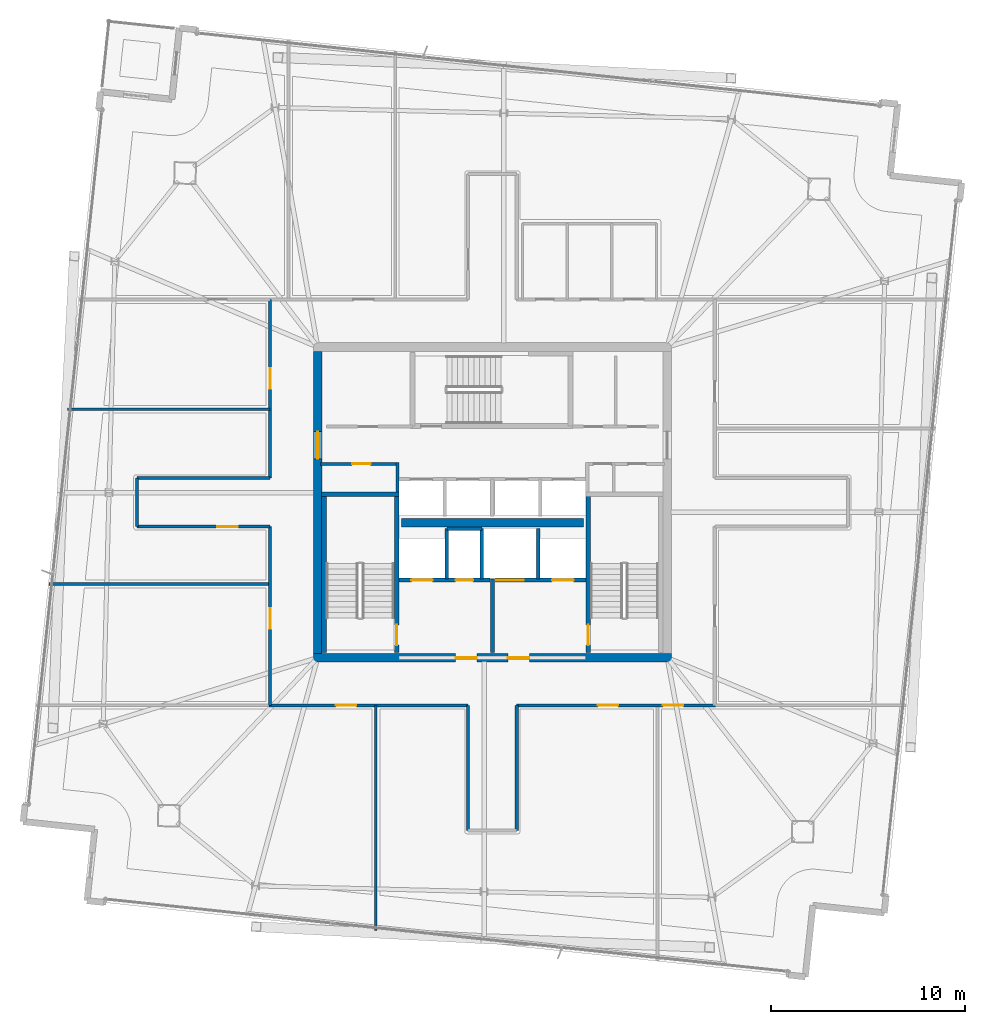
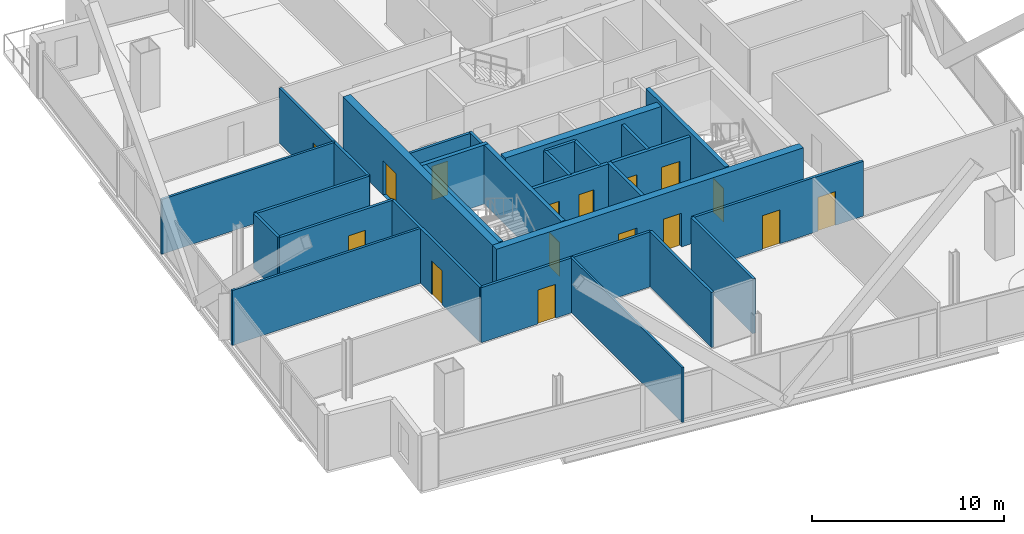
# One storey, part 19 of 24: 28 walls, 16 doors, 16 openings.
"""IFC4 building model written with IfcOpenShell, lengths in metres."""

from ifc_helpers import new_model, si_unit, direction, frame, frame_2d, origin, place, context, subcontext, project, spatial, rectangle, extrude, material, layer, layer_set, type_object, element, fill, save


model = new_model("IFC4")

# Units and contexts
model_context = context("Model", 3, precision=1e-05, world=origin(), true_north=direction((0.0, 1.0)))
body_context = subcontext(model_context, "Body", "Model", "MODEL_VIEW")
ifc_project = project(units=[si_unit("LENGTHUNIT", "METRE"), si_unit("AREAUNIT", "SQUARE_METRE"), si_unit("VOLUMEUNIT", "CUBIC_METRE"), si_unit("PLANEANGLEUNIT", "RADIAN"), si_unit("MASSUNIT", "GRAM", prefix="KILO")], contexts=[model_context])

# Site, building, storey
site_placement = place(None, origin())
site = spatial("IfcSite", under=ifc_project, at=site_placement, CompositionType="ELEMENT")
building_placement = place(site_placement, origin())
building = spatial("IfcBuilding", under=site, at=building_placement, Name="Haldenkirk Collegiate Tower", CompositionType="ELEMENT")
storey_placement = place(building_placement, frame((0.0, 0.0, 310.199951171875)))
storey = spatial("IfcBuildingStorey", under=building, at=storey_placement, Name="L78", CompositionType="ELEMENT", Elevation=310.199951171875)

# Wall, openings, doors
ifc_material_1 = material(Name="Concrete f'c 55 MPa", Category="concrete")
ifc_layer_1 = layer(ifc_material_1, 0.449951171875)
ifc_layer_set_1 = layer_set([ifc_layer_1], Name="Concrete f'c 55 MPa")
wall_type_1 = type_object("IfcWallType", Name="WL-CORE-450", PredefinedType="SHEAR", material=ifc_layer_set_1)
wall_1_placement = place(storey_placement, frame((26.77490234375, 18.0, 0.0), z_axis=(0.0, 0.0, 1.0), x_axis=(1.0, 0.0, 0.0)))
wall_1 = element("IfcWall", 1, at=wall_1_placement, inside=storey, type_object=wall_type_1, Name="L78 central core shear wall S", PredefinedType="SHEAR", context=body_context, shape_type="SweptSolid", body=[
    extrude(rectangle(XDim=18.4501953125, YDim=0.449951171875, at=frame_2d((9.22509765625, 0.0))), origin(), (0.0, 0.0, 1.0), 3.75),
])
opening_1_placement = place(wall_1_placement, frame((7.324951171875, 0.0, 0.0)))
opening_1 = element("IfcOpeningElement", 2, at=opening_1_placement, cuts=wall_1, Name="Opening D-02", PredefinedType="OPENING", context=body_context, shape_type="SweptSolid", body=[
    extrude(rectangle(XDim=1.10009765625, YDim=2.14990234375, at=frame_2d((0.550048828125, 1.074951171875))), frame((0.0, 0.23486328125, 0.0), z_axis=(0.0, -1.0, 0.0), x_axis=(1.0, 0.0, 0.0)), (0.0, 0.0, 1.0), 0.469970703125),
])
opening_2_placement = place(wall_1_placement, frame((10.02490234375, 0.0, 0.0)))
opening_2 = element("IfcOpeningElement", 3, at=opening_2_placement, cuts=wall_1, Name="Opening D-02", PredefinedType="OPENING", context=body_context, shape_type="SweptSolid", body=[
    extrude(rectangle(XDim=1.10009765625, YDim=2.14990234375, at=frame_2d((0.550048828125, 1.074951171875))), frame((0.0, 0.23486328125, 0.0), z_axis=(0.0, -1.0, 0.0), x_axis=(1.0, 0.0, 0.0)), (0.0, 0.0, 1.0), 0.469970703125),
])
ifc_material_2 = material(Name="Galvanized fire-rated hollow steel door", Category="steel")
ifc_layer_2 = layer(ifc_material_2, 0.06005859375)
ifc_layer_set_2 = layer_set([ifc_layer_2], Name="Galvanized fire-rated hollow steel door")
door_type_1 = type_object("IfcDoorType", Name="DR-STAIR-FD90-1100", OperationType="NOTDEFINED", PredefinedType="DOOR", material=ifc_layer_set_2)
door_1_placement = place(opening_1_placement, origin())
door_1 = element("IfcDoor", 4, at=door_1_placement, inside=storey, type_object=door_type_1, Name="L78 Firefighting Lobby 1 door", OperationType="SINGLE_SWING_LEFT", OverallHeight=2.14990234375, OverallWidth=1.10009765625, PredefinedType="DOOR", context=body_context, shape_type="SweptSolid", body=[
    extrude(rectangle(XDim=1.10009765625, YDim=2.14990234375, at=frame_2d((0.550048828125, 1.074951171875))), frame((0.0, 0.02490234375, 0.0), z_axis=(0.0, -1.0, 0.0), x_axis=(1.0, 0.0, 0.0)), (0.0, 0.0, 1.0), 0.050048828125),
])
fill(opening_1, door_1)
door_2_placement = place(opening_2_placement, origin())
door_2 = element("IfcDoor", 5, at=door_2_placement, inside=storey, type_object=door_type_1, Name="L78 Firefighting Lobby 2 door", OperationType="SINGLE_SWING_RIGHT", OverallHeight=2.14990234375, OverallWidth=1.10009765625, PredefinedType="DOOR", context=body_context, shape_type="SweptSolid", body=[
    extrude(rectangle(XDim=1.10009765625, YDim=2.14990234375, at=frame_2d((0.550048828125, 1.074951171875))), frame((0.0, 0.02490234375, 0.0), z_axis=(0.0, -1.0, 0.0), x_axis=(1.0, 0.0, 0.0)), (0.0, 0.0, 1.0), 0.050048828125),
])
fill(opening_2, door_2)

# Wall, opening, door
wall_2_placement = place(storey_placement, frame((27.0, 18.22509765625, 0.0), z_axis=(0.0, 0.0, 1.0), x_axis=(0.0, 1.0, 0.0)))
wall_2 = element("IfcWall", 6, at=wall_2_placement, inside=storey, type_object=wall_type_1, Name="L78 central core shear wall W", PredefinedType="SHEAR", context=body_context, shape_type="SweptSolid", body=[
    extrude(rectangle(XDim=15.5498046875, YDim=0.449951171875, at=frame_2d((7.77490234375, 0.0))), origin(), (0.0, 0.0, 1.0), 3.75),
])
opening_3_placement = place(wall_2_placement, frame((10.014892578125, 0.0, 0.0)))
opening_3 = element("IfcOpeningElement", 7, at=opening_3_placement, cuts=wall_2, Name="Opening D-03", PredefinedType="OPENING", context=body_context, shape_type="SweptSolid", body=[
    extrude(rectangle(XDim=1.39990234375, YDim=2.199951171875, at=frame_2d((0.699951171875, 1.10009765625))), frame((0.0, 0.23486328125, 0.0), z_axis=(0.0, -1.0, 0.0), x_axis=(1.0, 0.0, 0.0)), (0.0, 0.0, 1.0), 0.469970703125),
])
ifc_layer_3 = layer(ifc_material_2, 0.06005859375)
ifc_layer_set_3 = layer_set([ifc_layer_3], Name="Galvanized fire-rated hollow steel door")
door_type_2 = type_object("IfcDoorType", Name="DR-LOBBY-FD90-1400", OperationType="NOTDEFINED", PredefinedType="DOOR", material=ifc_layer_set_3)
door_3_placement = place(opening_3_placement, origin())
door_3 = element("IfcDoor", 8, at=door_3_placement, inside=storey, type_object=door_type_2, Name="L78 west lift lobby portal", OperationType="DOUBLE_DOOR_SINGLE_SWING", OverallHeight=2.199951171875, OverallWidth=1.39990234375, PredefinedType="DOOR", context=body_context, shape_type="SweptSolid", body=[
    extrude(rectangle(XDim=1.39990234375, YDim=2.199951171875, at=frame_2d((0.699951171875, 1.10009765625))), frame((0.0, 0.02490234375, 0.0), z_axis=(0.0, -1.0, 0.0), x_axis=(1.0, 0.0, 0.0)), (0.0, 0.0, 1.0), 0.050048828125),
])
fill(opening_3, door_3)

# Wall
wall_3_placement = place(storey_placement, frame((31.31005859375, 24.949951171875, 0.0), z_axis=(0.0, 0.0, 1.0), x_axis=(1.0, 0.0, 0.0)))
element("IfcWall", 9, at=wall_3_placement, inside=storey, type_object=wall_type_1, Name="L78 central core spine shear wall", PredefinedType="SHEAR", context=body_context, shape_type="SweptSolid", body=[
    extrude(rectangle(XDim=9.3798828125, YDim=0.449951171875, at=frame_2d((4.68994140625, 0.0))), origin(), (0.0, 0.0, 1.0), 3.75),
])

# Wall, opening, door
ifc_material_3 = material(Name="Acoustic fire-rated gypsum partition", Category="concrete")
ifc_layer_4 = layer(ifc_material_3, 0.159912109375)
ifc_layer_set_4 = layer_set([ifc_layer_4], Name="Acoustic fire-rated gypsum partition")
wall_type_2 = type_object("IfcWallType", Name="WL-INT-CORR-160", PredefinedType="PARTITIONING", material=ifc_layer_set_4)
wall_4_placement = place(storey_placement, frame((27.14990234375, 27.97998046875, 0.0), z_axis=(0.0, 0.0, 1.0), x_axis=(1.0, 0.0, 0.0)))
wall_4 = element("IfcWall", 10, at=wall_4_placement, inside=storey, type_object=wall_type_2, Name="L78 interior partition IW-L78-VCSW-N", PredefinedType="PARTITIONING", context=body_context, shape_type="SweptSolid", body=[
    extrude(rectangle(XDim=4.050048828125, YDim=0.159912109375, at=frame_2d((2.02490234375, 0.0))), origin(), (0.0, 0.0, 1.0), 3.489990234375),
])
opening_4_placement = place(wall_4_placement, frame((1.625, 0.0, 0.0)))
opening_4 = element("IfcOpeningElement", 11, at=opening_4_placement, cuts=wall_4, Name="Opening D-10", PredefinedType="OPENING", context=body_context, shape_type="SweptSolid", body=[
    extrude(rectangle(XDim=0.949951171875, YDim=2.14990234375, at=frame_2d((0.47509765625, 1.074951171875))), frame((0.0, 0.08984375, 0.0), z_axis=(0.0, -1.0, 0.0), x_axis=(1.0, 0.0, 0.0)), (0.0, 0.0, 1.0), 0.179931640625),
])
ifc_material_4 = material(Name="Solid-core architectural oak fire door", Category="wood")
ifc_layer_5 = layer(ifc_material_4, 0.06005859375)
ifc_layer_set_5 = layer_set([ifc_layer_5], Name="Solid-core architectural oak fire door")
door_type_3 = type_object("IfcDoorType", Name="DR-INT-FD60-950", OperationType="NOTDEFINED", PredefinedType="DOOR", material=ifc_layer_set_5)
door_4_placement = place(opening_4_placement, origin())
door_4 = element("IfcDoor", 12, at=door_4_placement, inside=storey, type_object=door_type_3, Name="L78 core tea pantry door", OperationType="SINGLE_SWING_RIGHT", OverallHeight=2.14990234375, OverallWidth=0.949951171875, PredefinedType="DOOR", context=body_context, shape_type="SweptSolid", body=[
    extrude(rectangle(XDim=0.949951171875, YDim=2.14990234375, at=frame_2d((0.47509765625, 1.074951171875))), frame((0.0, 0.02490234375, 0.0), z_axis=(0.0, -1.0, 0.0), x_axis=(1.0, 0.0, 0.0)), (0.0, 0.0, 1.0), 0.050048828125),
])
fill(opening_4, door_4)

# Wall
wall_5_placement = place(storey_placement, frame((31.1201171875, 26.5400390625, 0.0), z_axis=(0.0, 0.0, 1.0), x_axis=(0.0, 1.0, 0.0)))
element("IfcWall", 13, at=wall_5_placement, inside=storey, type_object=wall_type_2, Name="L78 interior partition IW-L78-VCSW-E", PredefinedType="PARTITIONING", context=body_context, shape_type="SweptSolid", body=[
    extrude(rectangle(XDim=1.510009765625, YDim=0.159912109375, at=frame_2d((0.7548828125, 0.0))), origin(), (0.0, 0.0, 1.0), 3.489990234375),
])

# Wall, opening, door
wall_6_placement = place(storey_placement, frame((24.5, 15.550048828125, 0.0), z_axis=(0.0, 0.0, 1.0), x_axis=(1.0, 0.0, 0.0)))
wall_6 = element("IfcWall", 14, at=wall_6_placement, inside=storey, type_object=wall_type_2, Name="L78 interior partition IW-L78-CS1", PredefinedType="PARTITIONING", context=body_context, shape_type="SweptSolid", body=[
    extrude(rectangle(XDim=10.25, YDim=0.159912109375, at=frame_2d((5.125, 0.0))), origin(), (0.0, 0.0, 1.0), 3.489990234375),
])
opening_5_placement = place(wall_6_placement, frame((3.44091796875, 0.0, 0.0)))
opening_5 = element("IfcOpeningElement", 15, at=opening_5_placement, cuts=wall_6, Name="Opening D-09", PredefinedType="OPENING", context=body_context, shape_type="SweptSolid", body=[
    extrude(rectangle(XDim=1.050048828125, YDim=2.14990234375, at=frame_2d((0.52490234375, 1.074951171875))), frame((0.0, 0.08984375, 0.0), z_axis=(0.0, -1.0, 0.0), x_axis=(1.0, 0.0, 0.0)), (0.0, 0.0, 1.0), 0.179931640625),
])
ifc_layer_6 = layer(ifc_material_4, 0.06005859375)
ifc_layer_set_6 = layer_set([ifc_layer_6], Name="Solid-core architectural oak fire door")
door_type_4 = type_object("IfcDoorType", Name="DR-INT-FD60-1050", OperationType="NOTDEFINED", PredefinedType="DOOR", material=ifc_layer_set_6)
door_5_placement = place(opening_5_placement, origin())
door_5 = element("IfcDoor", 16, at=door_5_placement, inside=storey, type_object=door_type_4, Name="L78 Faculty Office 1 door", OperationType="SINGLE_SWING_LEFT", OverallHeight=2.14990234375, OverallWidth=1.050048828125, PredefinedType="DOOR", context=body_context, shape_type="SweptSolid", body=[
    extrude(rectangle(XDim=1.050048828125, YDim=2.14990234375, at=frame_2d((0.52490234375, 1.074951171875))), frame((0.0, 0.02490234375, 0.0), z_axis=(0.0, -1.0, 0.0), x_axis=(1.0, 0.0, 0.0)), (0.0, 0.0, 1.0), 0.050048828125),
])
fill(opening_5, door_5)

# Wall, openings, doors
wall_7_placement = place(storey_placement, frame((37.25, 15.550048828125, 0.0), z_axis=(0.0, 0.0, 1.0), x_axis=(1.0, 0.0, 0.0)))
wall_7 = element("IfcWall", 17, at=wall_7_placement, inside=storey, type_object=wall_type_2, Name="L78 interior partition IW-L78-CS2", PredefinedType="PARTITIONING", context=body_context, shape_type="SweptSolid", body=[
    extrude(rectangle(XDim=10.25, YDim=0.159912109375, at=frame_2d((5.125, 0.0))), origin(), (0.0, 0.0, 1.0), 3.489990234375),
])
opening_6_placement = place(wall_7_placement, frame((4.176025390625, 0.0, 0.0)))
opening_6 = element("IfcOpeningElement", 18, at=opening_6_placement, cuts=wall_7, Name="Opening D-09", PredefinedType="OPENING", context=body_context, shape_type="SweptSolid", body=[
    extrude(rectangle(XDim=1.050048828125, YDim=2.14990234375, at=frame_2d((0.52490234375, 1.074951171875))), frame((0.0, 0.08984375, 0.0), z_axis=(0.0, -1.0, 0.0), x_axis=(1.0, 0.0, 0.0)), (0.0, 0.0, 1.0), 0.179931640625),
])
opening_7_placement = place(wall_7_placement, frame((7.530029296875, 0.0, 0.0)))
opening_7 = element("IfcOpeningElement", 19, at=opening_7_placement, cuts=wall_7, Name="Opening D-09", PredefinedType="OPENING", context=body_context, shape_type="SweptSolid", body=[
    extrude(rectangle(XDim=1.050048828125, YDim=2.14990234375, at=frame_2d((0.52490234375, 1.074951171875))), frame((0.0, 0.08984375, 0.0), z_axis=(0.0, -1.0, 0.0), x_axis=(1.0, 0.0, 0.0)), (0.0, 0.0, 1.0), 0.179931640625),
])
door_6_placement = place(opening_6_placement, origin())
door_6 = element("IfcDoor", 20, at=door_6_placement, inside=storey, type_object=door_type_4, Name="L78 Research Office 2 door", OperationType="SINGLE_SWING_RIGHT", OverallHeight=2.14990234375, OverallWidth=1.050048828125, PredefinedType="DOOR", context=body_context, shape_type="SweptSolid", body=[
    extrude(rectangle(XDim=1.050048828125, YDim=2.14990234375, at=frame_2d((0.52490234375, 1.074951171875))), frame((0.0, 0.02490234375, 0.0), z_axis=(0.0, -1.0, 0.0), x_axis=(1.0, 0.0, 0.0)), (0.0, 0.0, 1.0), 0.050048828125),
])
fill(opening_6, door_6)
door_7_placement = place(opening_7_placement, origin())
door_7 = element("IfcDoor", 21, at=door_7_placement, inside=storey, type_object=door_type_4, Name="L78 Senior Fellow Office 3 door", OperationType="SINGLE_SWING_LEFT", OverallHeight=2.14990234375, OverallWidth=1.050048828125, PredefinedType="DOOR", context=body_context, shape_type="SweptSolid", body=[
    extrude(rectangle(XDim=1.050048828125, YDim=2.14990234375, at=frame_2d((0.52490234375, 1.074951171875))), frame((0.0, 0.02490234375, 0.0), z_axis=(0.0, -1.0, 0.0), x_axis=(1.0, 0.0, 0.0)), (0.0, 0.0, 1.0), 0.050048828125),
])
fill(opening_7, door_7)

# Wall, opening, door
wall_8_placement = place(storey_placement, frame((24.550048828125, 15.550048828125, 0.0), z_axis=(0.0, 0.0, 1.0), x_axis=(0.0, 1.0, 0.0)))
wall_8 = element("IfcWall", 22, at=wall_8_placement, inside=storey, type_object=wall_type_2, Name="L78 interior partition IW-L78-CW1", PredefinedType="PARTITIONING", context=body_context, shape_type="SweptSolid", body=[
    extrude(rectangle(XDim=9.199951171875, YDim=0.159912109375, at=frame_2d((4.60009765625, 0.0))), origin(), (0.0, 0.0, 1.0), 3.489990234375),
])
opening_8_placement = place(wall_8_placement, frame((3.950927734375, 0.0, 0.0)))
opening_8 = element("IfcOpeningElement", 23, at=opening_8_placement, cuts=wall_8, Name="Opening D-09", PredefinedType="OPENING", context=body_context, shape_type="SweptSolid", body=[
    extrude(rectangle(XDim=1.050048828125, YDim=2.14990234375, at=frame_2d((0.52490234375, 1.074951171875))), frame((0.0, 0.08984375, 0.0), z_axis=(0.0, -1.0, 0.0), x_axis=(1.0, 0.0, 0.0)), (0.0, 0.0, 1.0), 0.179931640625),
])
door_8_placement = place(opening_8_placement, origin())
door_8 = element("IfcDoor", 24, at=door_8_placement, inside=storey, type_object=door_type_4, Name="L78 Faculty Office 7 door", OperationType="SINGLE_SWING_LEFT", OverallHeight=2.14990234375, OverallWidth=1.050048828125, PredefinedType="DOOR", context=body_context, shape_type="SweptSolid", body=[
    extrude(rectangle(XDim=1.050048828125, YDim=2.14990234375, at=frame_2d((0.52490234375, 1.074951171875))), frame((0.0, 0.02490234375, 0.0), z_axis=(0.0, -1.0, 0.0), x_axis=(1.0, 0.0, 0.0)), (0.0, 0.0, 1.0), 0.050048828125),
])
fill(opening_8, door_8)

wall_9_placement = place(storey_placement, frame((24.550048828125, 27.25, 0.0), z_axis=(0.0, 0.0, 1.0), x_axis=(0.0, 1.0, 0.0)))
wall_9 = element("IfcWall", 25, at=wall_9_placement, inside=storey, type_object=wall_type_2, Name="L78 interior partition IW-L78-CW2", PredefinedType="PARTITIONING", context=body_context, shape_type="SweptSolid", body=[
    extrude(rectangle(XDim=9.199951171875, YDim=0.159912109375, at=frame_2d((4.60009765625, 0.0))), origin(), (0.0, 0.0, 1.0), 3.489990234375),
])
opening_9_placement = place(wall_9_placement, frame((4.60693359375, 0.0, 0.0)))
opening_9 = element("IfcOpeningElement", 26, at=opening_9_placement, cuts=wall_9, Name="Opening D-09", PredefinedType="OPENING", context=body_context, shape_type="SweptSolid", body=[
    extrude(rectangle(XDim=1.050048828125, YDim=2.14990234375, at=frame_2d((0.52490234375, 1.074951171875))), frame((0.0, 0.08984375, 0.0), z_axis=(0.0, -1.0, 0.0), x_axis=(1.0, 0.0, 0.0)), (0.0, 0.0, 1.0), 0.179931640625),
])
door_9_placement = place(opening_9_placement, origin())
door_9 = element("IfcDoor", 27, at=door_9_placement, inside=storey, type_object=door_type_4, Name="L78 Senior Fellow Office 9 door", OperationType="SINGLE_SWING_LEFT", OverallHeight=2.14990234375, OverallWidth=1.050048828125, PredefinedType="DOOR", context=body_context, shape_type="SweptSolid", body=[
    extrude(rectangle(XDim=1.050048828125, YDim=2.14990234375, at=frame_2d((0.52490234375, 1.074951171875))), frame((0.0, 0.02490234375, 0.0), z_axis=(0.0, -1.0, 0.0), x_axis=(1.0, 0.0, 0.0)), (0.0, 0.0, 1.0), 0.050048828125),
])
fill(opening_9, door_9)

# Walls
for number, where, z_axis, x_axis, name in (
    (28, (34.75, 9.10009765625, 0.0), (0.0, 0.0, 1.0), (0.0, 1.0, 0.0), "L78 interior partition IW-L78-SPW"),
    (29, (37.25, 9.10009765625, 0.0), (0.0, 0.0, 1.0), (0.0, 1.0, 0.0), "L78 interior partition IW-L78-SPE"),
):
    element("IfcWall", number, at=place(storey_placement, frame(where, z_axis=z_axis, x_axis=x_axis)), inside=storey, type_object=wall_type_2, Name=name, PredefinedType="PARTITIONING", context=body_context, shape_type="SweptSolid", body=[
        extrude(rectangle(XDim=6.449951171875, YDim=0.159912109375, at=frame_2d((3.22509765625, 0.0))), origin(), (0.0, 0.0, 1.0), 3.489990234375),
    ])

# Wall, opening, door
wall_10_placement = place(storey_placement, frame((17.699951171875, 24.75, 0.0), z_axis=(0.0, 0.0, 1.0), x_axis=(1.0, 0.0, 0.0)))
wall_10 = element("IfcWall", 30, at=wall_10_placement, inside=storey, type_object=wall_type_2, Name="L78 interior partition IW-L78-WPS", PredefinedType="PARTITIONING", context=body_context, shape_type="SweptSolid", body=[
    extrude(rectangle(XDim=6.85009765625, YDim=0.159912109375, at=frame_2d((3.425048828125, 0.0))), origin(), (0.0, 0.0, 1.0), 3.489990234375),
])
opening_10_placement = place(wall_10_placement, frame((4.133056640625, 0.0, 0.0)))
opening_10 = element("IfcOpeningElement", 31, at=opening_10_placement, cuts=wall_10, Name="Opening D-09", PredefinedType="OPENING", context=body_context, shape_type="SweptSolid", body=[
    extrude(rectangle(XDim=1.050048828125, YDim=2.14990234375, at=frame_2d((0.52490234375, 1.074951171875))), frame((0.0, 0.08984375, 0.0), z_axis=(0.0, -1.0, 0.0), x_axis=(1.0, 0.0, 0.0)), (0.0, 0.0, 1.0), 0.179931640625),
])
door_10_placement = place(opening_10_placement, origin())
door_10 = element("IfcDoor", 32, at=door_10_placement, inside=storey, type_object=door_type_4, Name="L78 Research Office 8 door", OperationType="SINGLE_SWING_RIGHT", OverallHeight=2.14990234375, OverallWidth=1.050048828125, PredefinedType="DOOR", context=body_context, shape_type="SweptSolid", body=[
    extrude(rectangle(XDim=1.050048828125, YDim=2.14990234375, at=frame_2d((0.52490234375, 1.074951171875))), frame((0.0, 0.02490234375, 0.0), z_axis=(0.0, -1.0, 0.0), x_axis=(1.0, 0.0, 0.0)), (0.0, 0.0, 1.0), 0.050048828125),
])
fill(opening_10, door_10)

# Walls
wall_11_placement = place(storey_placement, frame((17.699951171875, 27.25, 0.0), z_axis=(0.0, 0.0, 1.0), x_axis=(1.0, 0.0, 0.0)))
element("IfcWall", 33, at=wall_11_placement, inside=storey, type_object=wall_type_2, Name="L78 interior partition IW-L78-WPN", PredefinedType="PARTITIONING", context=body_context, shape_type="SweptSolid", body=[
    extrude(rectangle(XDim=6.85009765625, YDim=0.159912109375, at=frame_2d((3.425048828125, 0.0))), origin(), (0.0, 0.0, 1.0), 3.489990234375),
])
wall_12_placement = place(storey_placement, frame((17.699951171875, 24.75, 0.0), z_axis=(0.0, 0.0, 1.0), x_axis=(0.0, 1.0, 0.0)))
element("IfcWall", 34, at=wall_12_placement, inside=storey, type_object=wall_type_2, Name="L78 interior partition IW-L78-WPW", PredefinedType="PARTITIONING", context=body_context, shape_type="SweptSolid", body=[
    extrude(rectangle(XDim=2.5, YDim=0.159912109375, at=frame_2d((1.25, 0.0))), origin(), (0.0, 0.0, 1.0), 3.489990234375),
])
ifc_layer_7 = layer(ifc_material_3, 0.139892578125)
ifc_layer_set_7 = layer_set([ifc_layer_7], Name="Acoustic fire-rated gypsum partition")
wall_type_3 = type_object("IfcWallType", Name="WL-INT-DIV-140", PredefinedType="PARTITIONING", material=ifc_layer_set_7)
wall_13_placement = place(storey_placement, frame((13.170166015625, 21.800048828125, 0.0), z_axis=(0.0, 0.0, 1.0), x_axis=(1.0, 0.0, 0.0)))
element("IfcWall", 35, at=wall_13_placement, inside=storey, type_object=wall_type_3, Name="L78 interior partition IW-L78-RW1", PredefinedType="PARTITIONING", context=body_context, shape_type="SweptSolid", body=[
    extrude(rectangle(XDim=11.3798828125, YDim=0.139892578125, at=frame_2d((5.68994140625, 0.0))), origin(), (0.0, 0.0, 1.0), 3.489990234375),
])
wall_14_placement = place(storey_placement, frame((14.1240234375, 30.800048828125, 0.0), z_axis=(0.0, 0.0, 1.0), x_axis=(1.0, 0.0, 0.0)))
element("IfcWall", 36, at=wall_14_placement, inside=storey, type_object=wall_type_3, Name="L78 interior partition IW-L78-RW2", PredefinedType="PARTITIONING", context=body_context, shape_type="SweptSolid", body=[
    extrude(rectangle(XDim=10.426025390625, YDim=0.139892578125, at=frame_2d((5.212890625, 0.0))), origin(), (0.0, 0.0, 1.0), 3.489990234375),
])
ifc_material_5 = material(Name="Fire-rated gypsum shaftboard assembly", Category="concrete")
ifc_layer_8 = layer(ifc_material_5, 0.179931640625)
ifc_layer_set_8 = layer_set([ifc_layer_8], Name="Fire-rated gypsum shaftboard assembly")
wall_type_4 = type_object("IfcWallType", Name="WL-INT-SHAFT-180", PredefinedType="PARTITIONING", material=ifc_layer_set_8)
for number, where, z_axis, x_axis, name in (
    (37, (33.64990234375, 22.050048828125, 0.0), (0.0, 0.0, 1.0), (0.0, 1.0, 0.0), "L78 interior partition IW-L78-FL1E"),
    (38, (35.449951171875, 22.050048828125, 0.0), (0.0, 0.0, 1.0), (0.0, 1.0, 0.0), "L78 interior partition IW-L78-GL1W"),
):
    element("IfcWall", number, at=place(storey_placement, frame(where, z_axis=z_axis, x_axis=x_axis)), inside=storey, type_object=wall_type_4, Name=name, PredefinedType="PARTITIONING", context=body_context, shape_type="SweptSolid", body=[
        extrude(rectangle(XDim=2.599853515625, YDim=0.179931640625, at=frame_2d((1.2998046875, 0.0))), origin(), (0.0, 0.0, 1.0), 3.489990234375),
    ])
wall_15_placement = place(storey_placement, frame((33.64990234375, 24.64990234375, 0.0), z_axis=(0.0, 0.0, 1.0), x_axis=(1.0, 0.0, 0.0)))
element("IfcWall", 39, at=wall_15_placement, inside=storey, type_object=wall_type_4, Name="L78 interior partition IW-L78-RSRN", PredefinedType="PARTITIONING", context=body_context, shape_type="SweptSolid", body=[
    extrude(rectangle(XDim=1.800048828125, YDim=0.179931640625, at=frame_2d((0.89990234375, 0.0))), origin(), (0.0, 0.0, 1.0), 3.489990234375),
])
wall_16_placement = place(storey_placement, frame((38.35009765625, 22.050048828125, 0.0), z_axis=(0.0, 0.0, 1.0), x_axis=(0.0, 1.0, 0.0)))
element("IfcWall", 40, at=wall_16_placement, inside=storey, type_object=wall_type_4, Name="L78 interior partition IW-L78-GL1E", PredefinedType="PARTITIONING", context=body_context, shape_type="SweptSolid", body=[
    extrude(rectangle(XDim=2.599853515625, YDim=0.179931640625, at=frame_2d((1.2998046875, 0.0))), origin(), (0.0, 0.0, 1.0), 3.489990234375),
])
ifc_layer_9 = layer(ifc_material_5, 0.199951171875)
ifc_layer_set_9 = layer_set([ifc_layer_9], Name="Fire-rated gypsum shaftboard assembly")
wall_type_5 = type_object("IfcWallType", Name="WL-INT-SHAFT-200", PredefinedType="PARTITIONING", material=ifc_layer_set_9)
wall_17_placement = place(storey_placement, frame((36.0, 18.280029296875, 0.0), z_axis=(0.0, 0.0, 1.0), x_axis=(0.0, 1.0, 0.0)))
element("IfcWall", 41, at=wall_17_placement, inside=storey, type_object=wall_type_5, Name="L78 interior partition IW-L78-FFLM", PredefinedType="PARTITIONING", context=body_context, shape_type="SweptSolid", body=[
    extrude(rectangle(XDim=3.77001953125, YDim=0.199951171875, at=frame_2d((1.885009765625, 0.0))), origin(), (0.0, 0.0, 1.0), 3.489990234375),
])

# Wall, openings, doors
wall_18_placement = place(storey_placement, frame((31.18994140625, 22.0, 0.0), z_axis=(0.0, 0.0, 1.0), x_axis=(1.0, 0.0, 0.0)))
wall_18 = element("IfcWall", 42, at=wall_18_placement, inside=storey, type_object=wall_type_5, Name="L78 interior partition IW-L78-FFL1N", PredefinedType="PARTITIONING", context=body_context, shape_type="SweptSolid", body=[
    extrude(rectangle(XDim=4.68994140625, YDim=0.199951171875, at=frame_2d((2.344970703125, 0.0))), origin(), (0.0, 0.0, 1.0), 3.489990234375),
])
opening_11_placement = place(wall_18_placement, frame((2.909912109375, 0.0, 0.0)))
opening_11 = element("IfcOpeningElement", 43, at=opening_11_placement, cuts=wall_18, Name="Opening D-06", PredefinedType="OPENING", context=body_context, shape_type="SweptSolid", body=[
    extrude(rectangle(XDim=0.89990234375, YDim=2.14990234375, at=frame_2d((0.449951171875, 1.074951171875))), frame((0.0, 0.10986328125, 0.0), z_axis=(0.0, -1.0, 0.0), x_axis=(1.0, 0.0, 0.0)), (0.0, 0.0, 1.0), 0.219970703125),
])
opening_12_placement = place(wall_18_placement, frame((0.635009765625, 0.0, 0.0)))
opening_12 = element("IfcOpeningElement", 44, at=opening_12_placement, cuts=wall_18, Name="Opening LD-12", PredefinedType="OPENING", context=body_context, shape_type="SweptSolid", body=[
    extrude(rectangle(XDim=1.10009765625, YDim=2.14990234375, at=frame_2d((0.550048828125, 1.074951171875))), frame((0.0, 0.10986328125, 0.0), z_axis=(0.0, -1.0, 0.0), x_axis=(1.0, 0.0, 0.0)), (0.0, 0.0, 1.0), 0.219970703125),
])
ifc_layer_10 = layer(ifc_material_2, 0.06005859375)
ifc_layer_set_10 = layer_set([ifc_layer_10], Name="Galvanized fire-rated hollow steel door")
door_type_5 = type_object("IfcDoorType", Name="DR-INT-FD90-900", OperationType="NOTDEFINED", PredefinedType="DOOR", material=ifc_layer_set_10)
door_11_placement = place(opening_11_placement, origin())
door_11 = element("IfcDoor", 45, at=door_11_placement, inside=storey, type_object=door_type_5, Name="L78 electrical riser door", OperationType="SINGLE_SWING_LEFT", OverallHeight=2.14990234375, OverallWidth=0.89990234375, PredefinedType="DOOR", context=body_context, shape_type="SweptSolid", body=[
    extrude(rectangle(XDim=0.89990234375, YDim=2.14990234375, at=frame_2d((0.449951171875, 1.074951171875))), frame((0.0, 0.02490234375, 0.0), z_axis=(0.0, -1.0, 0.0), x_axis=(1.0, 0.0, 0.0)), (0.0, 0.0, 1.0), 0.050048828125),
])
fill(opening_11, door_11)
ifc_material_6 = material(Name="Brushed architectural stainless steel", Category="steel")
ifc_layer_11 = layer(ifc_material_6, 0.06005859375)
ifc_layer_set_11 = layer_set([ifc_layer_11], Name="Brushed architectural stainless steel")
door_type_6 = type_object("IfcDoorType", Name="LD-FIRE-1100", OperationType="NOTDEFINED", PredefinedType="DOOR", material=ifc_layer_set_11)
door_12_placement = place(opening_12_placement, origin())
door_12 = element("IfcDoor", 46, at=door_12_placement, inside=storey, type_object=door_type_6, Name="L78 Elevator FL1 sliding landing door", OperationType="SLIDING_TO_LEFT", OverallHeight=2.14990234375, OverallWidth=1.10009765625, PredefinedType="DOOR", context=body_context, shape_type="SweptSolid", body=[
    extrude(rectangle(XDim=1.10009765625, YDim=2.14990234375, at=frame_2d((0.550048828125, 1.074951171875))), frame((0.0, 0.02490234375, 0.0), z_axis=(0.0, -1.0, 0.0), x_axis=(1.0, 0.0, 0.0)), (0.0, 0.0, 1.0), 0.050048828125),
])
fill(opening_12, door_12)

wall_19_placement = place(storey_placement, frame((36.1201171875, 22.0, 0.0), z_axis=(0.0, 0.0, 1.0), x_axis=(1.0, 0.0, 0.0)))
wall_19 = element("IfcWall", 47, at=wall_19_placement, inside=storey, type_object=wall_type_5, Name="L78 interior partition IW-L78-FFL2N", PredefinedType="PARTITIONING", context=body_context, shape_type="SweptSolid", body=[
    extrude(rectangle(XDim=4.68994140625, YDim=0.199951171875, at=frame_2d((2.344970703125, 0.0))), origin(), (0.0, 0.0, 1.0), 3.489990234375),
])
opening_13_placement = place(wall_19_placement, frame((2.955078125, 0.0, 0.0)))
opening_13 = element("IfcOpeningElement", 48, at=opening_13_placement, cuts=wall_19, Name="Opening LD-12", PredefinedType="OPENING", context=body_context, shape_type="SweptSolid", body=[
    extrude(rectangle(XDim=1.10009765625, YDim=2.14990234375, at=frame_2d((0.550048828125, 1.074951171875))), frame((0.0, 0.10986328125, 0.0), z_axis=(0.0, -1.0, 0.0), x_axis=(1.0, 0.0, 0.0)), (0.0, 0.0, 1.0), 0.219970703125),
])
opening_14_placement = place(wall_19_placement, frame((0.080078125, 0.0, 0.0)))
opening_14 = element("IfcOpeningElement", 49, at=opening_14_placement, cuts=wall_19, Name="Opening LD-13", PredefinedType="OPENING", context=body_context, shape_type="SweptSolid", body=[
    extrude(rectangle(XDim=1.39990234375, YDim=2.199951171875, at=frame_2d((0.699951171875, 1.10009765625))), frame((0.0, 0.10986328125, 0.0), z_axis=(0.0, -1.0, 0.0), x_axis=(1.0, 0.0, 0.0)), (0.0, 0.0, 1.0), 0.219970703125),
])
door_13_placement = place(opening_13_placement, origin())
door_13 = element("IfcDoor", 50, at=door_13_placement, inside=storey, type_object=door_type_6, Name="L78 Elevator FL2 sliding landing door", OperationType="SLIDING_TO_LEFT", OverallHeight=2.14990234375, OverallWidth=1.10009765625, PredefinedType="DOOR", context=body_context, shape_type="SweptSolid", body=[
    extrude(rectangle(XDim=1.10009765625, YDim=2.14990234375, at=frame_2d((0.550048828125, 1.074951171875))), frame((0.0, 0.02490234375, 0.0), z_axis=(0.0, -1.0, 0.0), x_axis=(1.0, 0.0, 0.0)), (0.0, 0.0, 1.0), 0.050048828125),
])
fill(opening_13, door_13)
ifc_layer_12 = layer(ifc_material_6, 0.06005859375)
ifc_layer_set_12 = layer_set([ifc_layer_12], Name="Brushed architectural stainless steel")
door_type_7 = type_object("IfcDoorType", Name="LD-GOODS-1400", OperationType="NOTDEFINED", PredefinedType="DOOR", material=ifc_layer_set_12)
door_14_placement = place(opening_14_placement, origin())
door_14 = element("IfcDoor", 51, at=door_14_placement, inside=storey, type_object=door_type_7, Name="L78 Elevator GL1 sliding landing door", OperationType="SLIDING_TO_LEFT", OverallHeight=2.199951171875, OverallWidth=1.39990234375, PredefinedType="DOOR", context=body_context, shape_type="SweptSolid", body=[
    extrude(rectangle(XDim=1.39990234375, YDim=2.199951171875, at=frame_2d((0.699951171875, 1.10009765625))), frame((0.0, 0.02490234375, 0.0), z_axis=(0.0, -1.0, 0.0), x_axis=(1.0, 0.0, 0.0)), (0.0, 0.0, 1.0), 0.050048828125),
])
fill(opening_14, door_14)

# Wall
ifc_layer_13 = layer(ifc_material_3, 0.1201171875)
ifc_layer_set_13 = layer_set([ifc_layer_13], Name="Acoustic fire-rated gypsum partition")
wall_type_6 = type_object("IfcWallType", Name="WL-INT-WET-120", PredefinedType="PARTITIONING", material=ifc_layer_set_13)
wall_20_placement = place(storey_placement, frame((30.0, 3.949462890625, 0.0), z_axis=(0.0, 0.0, 1.0), x_axis=(0.0, 1.0, 0.0)))
element("IfcWall", 52, at=wall_20_placement, inside=storey, type_object=wall_type_6, Name="L78 interior partition IW-L78-RS1", PredefinedType="PARTITIONING", context=body_context, shape_type="SweptSolid", body=[
    extrude(rectangle(XDim=11.6005859375, YDim=0.1201171875, at=frame_2d((5.80029296875, 0.0))), origin(), (0.0, 0.0, 1.0), 3.489990234375),
])

# Wall, opening, door
ifc_layer_14 = layer(ifc_material_1, 0.239990234375)
ifc_layer_set_14 = layer_set([ifc_layer_14], Name="Concrete f'c 55 MPa")
wall_type_7 = type_object("IfcWallType", Name="WL-SHAFT-240", PredefinedType="SHEAR", material=ifc_layer_set_14)
wall_21_placement = place(storey_placement, frame((31.070068359375, 18.280029296875, 0.0), z_axis=(0.0, 0.0, 1.0), x_axis=(0.0, 1.0, 0.0)))
wall_21 = element("IfcWall", 53, at=wall_21_placement, inside=storey, type_object=wall_type_7, Name="L78 stair shaft shear wall SW-L78-ST1E", PredefinedType="SHEAR", context=body_context, shape_type="SweptSolid", body=[
    extrude(rectangle(XDim=8.260009765625, YDim=0.239990234375, at=frame_2d((4.1298828125, 0.0))), origin(), (0.0, 0.0, 1.0), 3.75),
])
opening_15_placement = place(wall_21_placement, frame((0.364990234375, 0.0, 0.0)))
opening_15 = element("IfcOpeningElement", 54, at=opening_15_placement, cuts=wall_21, Name="Opening D-01", PredefinedType="OPENING", context=body_context, shape_type="SweptSolid", body=[
    extrude(rectangle(XDim=1.050048828125, YDim=2.14990234375, at=frame_2d((0.52490234375, 1.074951171875))), frame((0.0, 0.1298828125, 0.0), z_axis=(0.0, -1.0, 0.0), x_axis=(1.0, 0.0, 0.0)), (0.0, 0.0, 1.0), 0.260009765625),
])
ifc_layer_15 = layer(ifc_material_2, 0.06005859375)
ifc_layer_set_15 = layer_set([ifc_layer_15], Name="Galvanized fire-rated hollow steel door")
door_type_8 = type_object("IfcDoorType", Name="DR-STAIR-FD90-1050", OperationType="NOTDEFINED", PredefinedType="DOOR", material=ifc_layer_set_15)
door_15_placement = place(opening_15_placement, origin())
door_15 = element("IfcDoor", 55, at=door_15_placement, inside=storey, type_object=door_type_8, Name="L78 Stair 1 door", OperationType="SINGLE_SWING_LEFT", OverallHeight=2.14990234375, OverallWidth=1.050048828125, PredefinedType="DOOR", context=body_context, shape_type="SweptSolid", body=[
    extrude(rectangle(XDim=1.050048828125, YDim=2.14990234375, at=frame_2d((0.52490234375, 1.074951171875))), frame((0.0, 0.02490234375, 0.0), z_axis=(0.0, -1.0, 0.0), x_axis=(1.0, 0.0, 0.0)), (0.0, 0.0, 1.0), 0.050048828125),
])
fill(opening_15, door_15)

# Walls
wall_22_placement = place(storey_placement, frame((27.2099609375, 26.419921875, 0.0), z_axis=(0.0, 0.0, 1.0), x_axis=(1.0, 0.0, 0.0)))
element("IfcWall", 56, at=wall_22_placement, inside=storey, type_object=wall_type_7, Name="L78 stair shaft shear wall SW-L78-ST1N", PredefinedType="SHEAR", context=body_context, shape_type="SweptSolid", body=[
    extrude(rectangle(XDim=3.97998046875, YDim=0.239990234375, at=frame_2d((1.989990234375, 0.0))), origin(), (0.0, 0.0, 1.0), 3.75),
])
wall_23_placement = place(storey_placement, frame((27.330078125, 18.280029296875, 0.0), z_axis=(0.0, 0.0, 1.0), x_axis=(0.0, 1.0, 0.0)))
element("IfcWall", 57, at=wall_23_placement, inside=storey, type_object=wall_type_7, Name="L78 stair shaft shear wall SW-L78-ST1W", PredefinedType="SHEAR", context=body_context, shape_type="SweptSolid", body=[
    extrude(rectangle(XDim=8.260009765625, YDim=0.239990234375, at=frame_2d((4.1298828125, 0.0))), origin(), (0.0, 0.0, 1.0), 3.75),
])

# Wall, opening, door
wall_24_placement = place(storey_placement, frame((40.929931640625, 18.280029296875, 0.0), z_axis=(0.0, 0.0, 1.0), x_axis=(0.0, 1.0, 0.0)))
wall_24 = element("IfcWall", 58, at=wall_24_placement, inside=storey, type_object=wall_type_7, Name="L78 stair shaft shear wall SW-L78-ST2W", PredefinedType="SHEAR", context=body_context, shape_type="SweptSolid", body=[
    extrude(rectangle(XDim=8.260009765625, YDim=0.239990234375, at=frame_2d((4.1298828125, 0.0))), origin(), (0.0, 0.0, 1.0), 3.75),
])
opening_16_placement = place(wall_24_placement, frame((0.364990234375, 0.0, 0.0)))
opening_16 = element("IfcOpeningElement", 59, at=opening_16_placement, cuts=wall_24, Name="Opening D-01", PredefinedType="OPENING", context=body_context, shape_type="SweptSolid", body=[
    extrude(rectangle(XDim=1.050048828125, YDim=2.14990234375, at=frame_2d((0.52490234375, 1.074951171875))), frame((0.0, 0.1298828125, 0.0), z_axis=(0.0, -1.0, 0.0), x_axis=(1.0, 0.0, 0.0)), (0.0, 0.0, 1.0), 0.260009765625),
])
door_16_placement = place(opening_16_placement, origin())
door_16 = element("IfcDoor", 60, at=door_16_placement, inside=storey, type_object=door_type_8, Name="L78 Stair 2 door", OperationType="SINGLE_SWING_RIGHT", OverallHeight=2.14990234375, OverallWidth=1.050048828125, PredefinedType="DOOR", context=body_context, shape_type="SweptSolid", body=[
    extrude(rectangle(XDim=1.050048828125, YDim=2.14990234375, at=frame_2d((0.52490234375, 1.074951171875))), frame((0.0, 0.02490234375, 0.0), z_axis=(0.0, -1.0, 0.0), x_axis=(1.0, 0.0, 0.0)), (0.0, 0.0, 1.0), 0.050048828125),
])
fill(opening_16, door_16)

save(model, "model.ifc")
